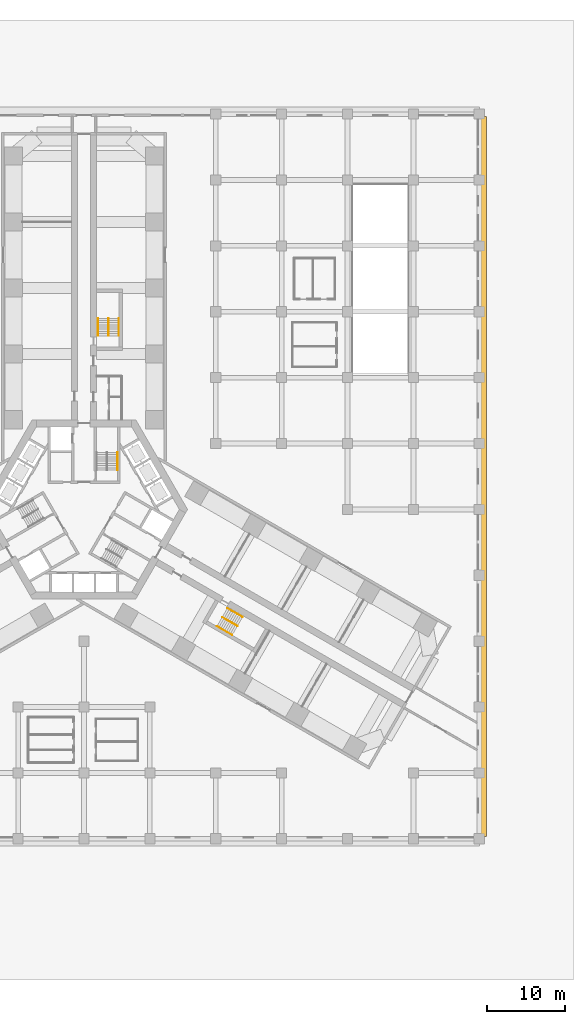
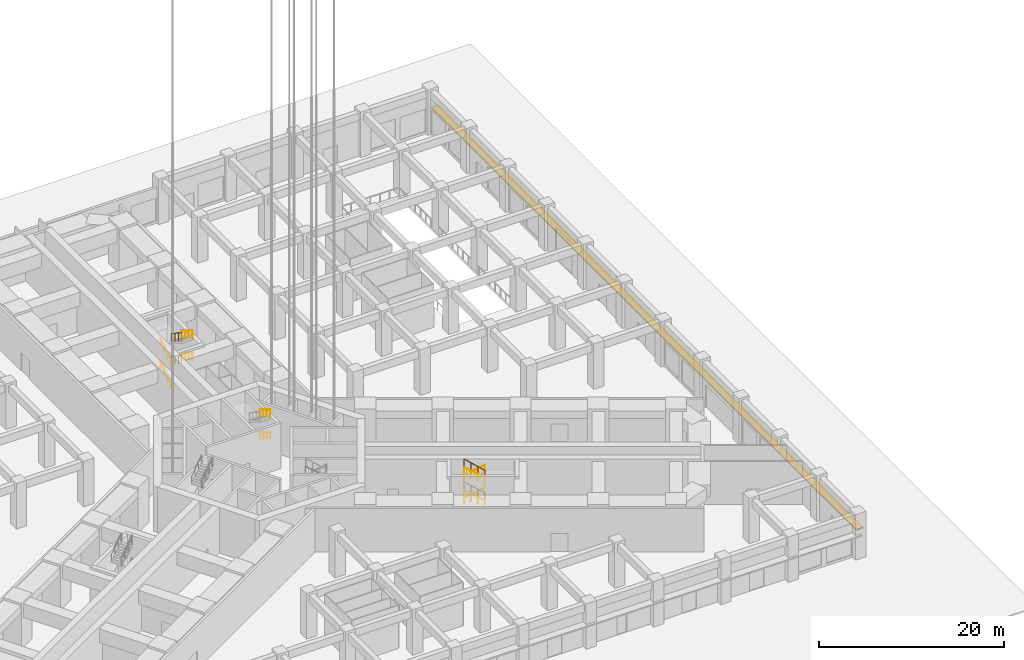
# One storey, part 19 of 33: 14 railings, 1 shading device.
"""IFC4 building model written with IfcOpenShell, lengths in metres."""

from ifc_helpers import new_model, si_unit, direction, frame, origin, origin_2d, place, context, subcontext, project, spatial, rectangle, circle, extrude, material, layer, layer_set, type_object, element, save


model = new_model("IFC4")

# Units and contexts
model_context = context("Model", 3, precision=1e-05, world=origin(), true_north=direction((0.0, 1.0)))
body_context = subcontext(model_context, "Body", "Model", "MODEL_VIEW")
ifc_project = project(units=[si_unit("LENGTHUNIT", "METRE"), si_unit("AREAUNIT", "SQUARE_METRE"), si_unit("VOLUMEUNIT", "CUBIC_METRE"), si_unit("PLANEANGLEUNIT", "RADIAN"), si_unit("MASSUNIT", "GRAM", prefix="KILO")], contexts=[model_context])

# Site, building, storey
site_placement = place(None, origin())
site = spatial("IfcSite", under=ifc_project, at=site_placement, CompositionType="ELEMENT")
building_placement = place(site_placement, origin())
building = spatial("IfcBuilding", under=site, at=building_placement, Name="Impinga Residences", CompositionType="ELEMENT")
storey_placement = place(building_placement, origin())
storey = spatial("IfcBuildingStorey", under=building, at=storey_placement, Name="L00", CompositionType="ELEMENT", Elevation=0.0)

# Railings
ifc_material_1 = material(Name="Steel guard, powder coated", Category="steel")
railing_type_1 = type_object("IfcRailingType", Name="GR1 stair guard 1100", PredefinedType="GUARDRAIL", material=ifc_material_1)
for number, where, name in (
    (1, (3.10009765625, 24.37158203125, 1.5), "Stair guard GR1 WS1 L00"),
    (2, (3.10009765625, 24.37158203125, 4.5), "Stair guard GR1 WS1 L00"),
):
    element("IfcRailing", number, at=place(storey_placement, frame(where)), inside=storey, type_object=railing_type_1, Name=name, PredefinedType="GUARDRAIL", context=body_context, shape_type="SweptSolid", body=[
        extrude(circle(Radius=0.02392578125, at=origin_2d()), frame((0.0, 0.0, 1.076171875), z_axis=(0.0, -0.830906055479, 0.556412730775), x_axis=(1.0, 0.0, 0.0)), (0.0, 0.0, 1.0), 2.69580078125),
        extrude(circle(Radius=0.02099609375, at=origin_2d()), origin(), (0.0, 0.0, 1.0), 1.052001953125),
        extrude(circle(Radius=0.02099609375, at=origin_2d()), frame((0.0, -0.74658203125, 0.5)), (0.0, 0.0, 1.0), 1.052001953125),
        extrude(circle(Radius=0.02099609375, at=origin_2d()), frame((0.0, -1.493408203125, 1.0)), (0.0, 0.0, 1.0), 1.052001953125),
        extrude(circle(Radius=0.02099609375, at=origin_2d()), frame((0.0, -2.239990234375, 1.5)), (0.0, 0.0, 1.0), 1.052001953125),
    ])
for number, where, name in (
    (3, (19.556396484375, -14.870361328125, 1.5), "Stair guard GR1 WS3 L00"),
    (4, (19.556396484375, -14.870361328125, 4.5), "Stair guard GR1 WS3 L00"),
):
    element("IfcRailing", number, at=place(storey_placement, frame(where)), inside=storey, type_object=railing_type_1, Name=name, PredefinedType="GUARDRAIL", context=body_context, shape_type="SweptSolid", body=[
        extrude(circle(Radius=0.02392578125, at=origin_2d()), frame((0.0, 0.0, 1.076171875), z_axis=(-0.719608760992, 0.415409688733, 0.556415331933), x_axis=(-0.49994888933, -0.866054910533, 0.0)), (0.0, 0.0, 1.0), 2.69580078125),
        extrude(circle(Radius=0.02099609375, at=origin_2d()), origin(), (0.0, 0.0, 1.0), 1.052001953125),
        extrude(circle(Radius=0.02099609375, at=origin_2d()), frame((-0.646728515625, 0.373291015625, 0.5)), (0.0, 0.0, 1.0), 1.052001953125),
        extrude(circle(Radius=0.02099609375, at=origin_2d()), frame((-1.293212890625, 0.74658203125, 1.0)), (0.0, 0.0, 1.0), 1.052001953125),
        extrude(circle(Radius=0.02099609375, at=origin_2d()), frame((-1.93994140625, 1.119873046875, 1.5)), (0.0, 0.0, 1.0), 1.052001953125),
    ])
ifc_material_2 = material(Name="Steel handrail tube 42 mm, powder coated", Category="steel")
railing_type_2 = type_object("IfcRailingType", Name="HR1 stair handrail, 42 mm steel tube, 900 above the pitch line", PredefinedType="HANDRAIL", material=ifc_material_2)
for number, where, name in (
    (5, (4.279052734375, 7.27001953125, 1.666748046875), "Stair handrail HR1 ST1 L00"),
    (6, (4.279052734375, 7.27001953125, 4.666748046875), "Stair handrail HR1 ST1 L00"),
):
    element("IfcRailing", number, at=place(storey_placement, frame(where)), inside=storey, type_object=railing_type_2, Name=name, PredefinedType="HANDRAIL", context=body_context, shape_type="SweptSolid", body=[
        extrude(circle(Radius=0.02099609375, at=origin_2d()), frame((0.0, 0.0, 0.87890625), z_axis=(0.0, -0.859305625298, 0.511462454469), x_axis=(1.0, 0.0, 0.0)), (0.0, 0.0, 1.0), 2.606689453125),
        extrude(circle(Radius=0.012451171875, at=origin_2d()), origin(), (0.0, 0.0, 1.0), 0.85791015625),
        extrude(circle(Radius=0.012451171875, at=origin_2d()), frame((0.0, -0.74658203125, 0.4443359375)), (0.0, 0.0, 1.0), 0.85791015625),
        extrude(circle(Radius=0.012451171875, at=origin_2d()), frame((0.0, -1.493408203125, 0.888916015625)), (0.0, 0.0, 1.0), 0.85791015625),
        extrude(circle(Radius=0.012451171875, at=origin_2d()), frame((0.0, -2.239990234375, 1.333251953125)), (0.0, 0.0, 1.0), 0.85791015625),
    ])
railing_1_placement = place(storey_placement, frame((1.77099609375, 22.131591796875, 0.166748046875)))
element("IfcRailing", 7, at=railing_1_placement, inside=storey, type_object=railing_type_2, Name="Stair handrail HR1 WS1 L00", PredefinedType="HANDRAIL", context=body_context, shape_type="SweptSolid", body=[
    extrude(circle(Radius=0.02099609375, at=origin_2d()), frame((0.0, 0.0, 0.87890625), z_axis=(0.0, 0.859305625298, 0.511462454469), x_axis=(-1.0, 0.0, 0.0)), (0.0, 0.0, 1.0), 2.606689453125),
    extrude(circle(Radius=0.012451171875, at=origin_2d()), origin(), (0.0, 0.0, 1.0), 0.85791015625),
    extrude(circle(Radius=0.012451171875, at=origin_2d()), frame((0.0, 0.74658203125, 0.4443359375)), (0.0, 0.0, 1.0), 0.85791015625),
    extrude(circle(Radius=0.012451171875, at=origin_2d()), frame((0.0, 1.493408203125, 0.888916015625)), (0.0, 0.0, 1.0), 0.85791015625),
    extrude(circle(Radius=0.012451171875, at=origin_2d()), frame((0.0, 2.239990234375, 1.333251953125)), (0.0, 0.0, 1.0), 0.85791015625),
])
railing_2_placement = place(storey_placement, frame((4.428955078125, 24.37158203125, 1.666748046875)))
element("IfcRailing", 8, at=railing_2_placement, inside=storey, type_object=railing_type_2, Name="Stair handrail HR1 WS1 L00", PredefinedType="HANDRAIL", context=body_context, shape_type="SweptSolid", body=[
    extrude(circle(Radius=0.02099609375, at=origin_2d()), frame((0.0, 0.0, 0.87890625), z_axis=(0.0, -0.859305625298, 0.511462454469), x_axis=(1.0, 0.0, 0.0)), (0.0, 0.0, 1.0), 2.606689453125),
    extrude(circle(Radius=0.012451171875, at=origin_2d()), origin(), (0.0, 0.0, 1.0), 0.85791015625),
    extrude(circle(Radius=0.012451171875, at=origin_2d()), frame((0.0, -0.74658203125, 0.4443359375)), (0.0, 0.0, 1.0), 0.85791015625),
    extrude(circle(Radius=0.012451171875, at=origin_2d()), frame((0.0, -1.493408203125, 0.888916015625)), (0.0, 0.0, 1.0), 0.85791015625),
    extrude(circle(Radius=0.012451171875, at=origin_2d()), frame((0.0, -2.239990234375, 1.333251953125)), (0.0, 0.0, 1.0), 0.85791015625),
])
railing_3_placement = place(storey_placement, frame((1.77099609375, 22.131591796875, 3.166748046875)))
element("IfcRailing", 9, at=railing_3_placement, inside=storey, type_object=railing_type_2, Name="Stair handrail HR1 WS1 L00", PredefinedType="HANDRAIL", context=body_context, shape_type="SweptSolid", body=[
    extrude(circle(Radius=0.02099609375, at=origin_2d()), frame((0.0, 0.0, 0.87890625), z_axis=(0.0, 0.859305625298, 0.511462454469), x_axis=(-1.0, 0.0, 0.0)), (0.0, 0.0, 1.0), 2.606689453125),
    extrude(circle(Radius=0.012451171875, at=origin_2d()), origin(), (0.0, 0.0, 1.0), 0.85791015625),
    extrude(circle(Radius=0.012451171875, at=origin_2d()), frame((0.0, 0.74658203125, 0.4443359375)), (0.0, 0.0, 1.0), 0.85791015625),
    extrude(circle(Radius=0.012451171875, at=origin_2d()), frame((0.0, 1.493408203125, 0.888916015625)), (0.0, 0.0, 1.0), 0.85791015625),
    extrude(circle(Radius=0.012451171875, at=origin_2d()), frame((0.0, 2.239990234375, 1.333251953125)), (0.0, 0.0, 1.0), 0.85791015625),
])
railing_4_placement = place(storey_placement, frame((4.428955078125, 24.37158203125, 4.666748046875)))
element("IfcRailing", 10, at=railing_4_placement, inside=storey, type_object=railing_type_2, Name="Stair handrail HR1 WS1 L00", PredefinedType="HANDRAIL", context=body_context, shape_type="SweptSolid", body=[
    extrude(circle(Radius=0.02099609375, at=origin_2d()), frame((0.0, 0.0, 0.87890625), z_axis=(0.0, -0.859305625298, 0.511462454469), x_axis=(1.0, 0.0, 0.0)), (0.0, 0.0, 1.0), 2.606689453125),
    extrude(circle(Radius=0.012451171875, at=origin_2d()), origin(), (0.0, 0.0, 1.0), 0.85791015625),
    extrude(circle(Radius=0.012451171875, at=origin_2d()), frame((0.0, -0.74658203125, 0.4443359375)), (0.0, 0.0, 1.0), 0.85791015625),
    extrude(circle(Radius=0.012451171875, at=origin_2d()), frame((0.0, -1.493408203125, 0.888916015625)), (0.0, 0.0, 1.0), 0.85791015625),
    extrude(circle(Radius=0.012451171875, at=origin_2d()), frame((0.0, -2.239990234375, 1.333251953125)), (0.0, 0.0, 1.0), 0.85791015625),
])
railing_5_placement = place(storey_placement, frame((18.281005859375, -12.599609375, 0.166748046875)))
element("IfcRailing", 11, at=railing_5_placement, inside=storey, type_object=railing_type_2, Name="Stair handrail HR1 WS3 L00", PredefinedType="HANDRAIL", context=body_context, shape_type="SweptSolid", body=[
    extrude(circle(Radius=0.02099609375, at=origin_2d()), frame((0.0, 0.0, 0.87890625), z_axis=(0.744204538217, -0.429608131991, 0.51146501173), x_axis=(0.49994888933, 0.866054910533, 0.0)), (0.0, 0.0, 1.0), 2.606689453125),
    extrude(circle(Radius=0.012451171875, at=origin_2d()), origin(), (0.0, 0.0, 1.0), 0.85791015625),
    extrude(circle(Radius=0.012451171875, at=origin_2d()), frame((0.646728515625, -0.373291015625, 0.4443359375)), (0.0, 0.0, 1.0), 0.85791015625),
    extrude(circle(Radius=0.012451171875, at=origin_2d()), frame((1.293212890625, -0.74658203125, 0.888916015625)), (0.0, 0.0, 1.0), 0.85791015625),
    extrude(circle(Radius=0.012451171875, at=origin_2d()), frame((1.93994140625, -1.119873046875, 1.333251953125)), (0.0, 0.0, 1.0), 0.85791015625),
])
railing_6_placement = place(storey_placement, frame((18.891845703125, -16.021484375, 1.666748046875)))
element("IfcRailing", 12, at=railing_6_placement, inside=storey, type_object=railing_type_2, Name="Stair handrail HR1 WS3 L00", PredefinedType="HANDRAIL", context=body_context, shape_type="SweptSolid", body=[
    extrude(circle(Radius=0.02099609375, at=origin_2d()), frame((0.0, 0.0, 0.87890625), z_axis=(-0.744174592847, 0.429684499369, 0.511444431354), x_axis=(-0.500030632641, -0.866007717299, 0.0)), (0.0, 0.0, 1.0), 2.60693359375),
    extrude(circle(Radius=0.012451171875, at=origin_2d()), origin(), (0.0, 0.0, 1.0), 0.85791015625),
    extrude(circle(Radius=0.012451171875, at=origin_2d()), frame((-0.646728515625, 0.373291015625, 0.4443359375)), (0.0, 0.0, 1.0), 0.85791015625),
    extrude(circle(Radius=0.012451171875, at=origin_2d()), frame((-1.293212890625, 0.746826171875, 0.888916015625)), (0.0, 0.0, 1.0), 0.85791015625),
    extrude(circle(Radius=0.012451171875, at=origin_2d()), frame((-1.93994140625, 1.1201171875, 1.333251953125)), (0.0, 0.0, 1.0), 0.85791015625),
])
railing_7_placement = place(storey_placement, frame((18.281005859375, -12.599609375, 3.166748046875)))
element("IfcRailing", 13, at=railing_7_placement, inside=storey, type_object=railing_type_2, Name="Stair handrail HR1 WS3 L00", PredefinedType="HANDRAIL", context=body_context, shape_type="SweptSolid", body=[
    extrude(circle(Radius=0.02099609375, at=origin_2d()), frame((0.0, 0.0, 0.87890625), z_axis=(0.744204538217, -0.429608131991, 0.51146501173), x_axis=(0.49994888933, 0.866054910533, 0.0)), (0.0, 0.0, 1.0), 2.606689453125),
    extrude(circle(Radius=0.012451171875, at=origin_2d()), origin(), (0.0, 0.0, 1.0), 0.85791015625),
    extrude(circle(Radius=0.012451171875, at=origin_2d()), frame((0.646728515625, -0.373291015625, 0.4443359375)), (0.0, 0.0, 1.0), 0.85791015625),
    extrude(circle(Radius=0.012451171875, at=origin_2d()), frame((1.293212890625, -0.74658203125, 0.888916015625)), (0.0, 0.0, 1.0), 0.85791015625),
    extrude(circle(Radius=0.012451171875, at=origin_2d()), frame((1.93994140625, -1.119873046875, 1.333251953125)), (0.0, 0.0, 1.0), 0.85791015625),
])
railing_8_placement = place(storey_placement, frame((18.891845703125, -16.021484375, 4.666748046875)))
element("IfcRailing", 14, at=railing_8_placement, inside=storey, type_object=railing_type_2, Name="Stair handrail HR1 WS3 L00", PredefinedType="HANDRAIL", context=body_context, shape_type="SweptSolid", body=[
    extrude(circle(Radius=0.02099609375, at=origin_2d()), frame((0.0, 0.0, 0.87890625), z_axis=(-0.744174592847, 0.429684499369, 0.511444431354), x_axis=(-0.500030632641, -0.866007717299, 0.0)), (0.0, 0.0, 1.0), 2.60693359375),
    extrude(circle(Radius=0.012451171875, at=origin_2d()), origin(), (0.0, 0.0, 1.0), 0.85791015625),
    extrude(circle(Radius=0.012451171875, at=origin_2d()), frame((-0.646728515625, 0.373291015625, 0.4443359375)), (0.0, 0.0, 1.0), 0.85791015625),
    extrude(circle(Radius=0.012451171875, at=origin_2d()), frame((-1.293212890625, 0.746826171875, 0.888916015625)), (0.0, 0.0, 1.0), 0.85791015625),
    extrude(circle(Radius=0.012451171875, at=origin_2d()), frame((-1.93994140625, 1.1201171875, 1.333251953125)), (0.0, 0.0, 1.0), 0.85791015625),
])

# Shading device
ifc_material_3 = material(Name="Terracotta sunshade blades on aluminium brackets", Category="masonry")
ifc_layer = layer(ifc_material_3, 0.14990234375)
ifc_layer_set = layer_set([ifc_layer], Name="SS1 SUNSHADE terracotta sunshade band 900")
shading_device_type = type_object("IfcShadingDeviceType", Name="SS1 SUNSHADE terracotta sunshade band 900", PredefinedType="USERDEFINED", material=ifc_layer_set)
shading_device_placement = place(storey_placement, frame((50.85009765625, 4.199951171875, 3.10009765625), z_axis=(0.0, 0.0, 1.0), x_axis=(0.0, -1.0, 0.0)))
element("IfcShadingDevice", 15, at=shading_device_placement, inside=storey, type_object=shading_device_type, Name="SUNSHADE band L00 EAST WING", ObjectType="SUNSHADE", PredefinedType="USERDEFINED", context=body_context, shape_type="SweptSolid", body=[
    extrude(rectangle(XDim=91.800048828125, YDim=0.89990234375, at=origin_2d()), origin(), (0.0, 0.0, 1.0), 0.14990234375),
])

save(model, "model.ifc")
